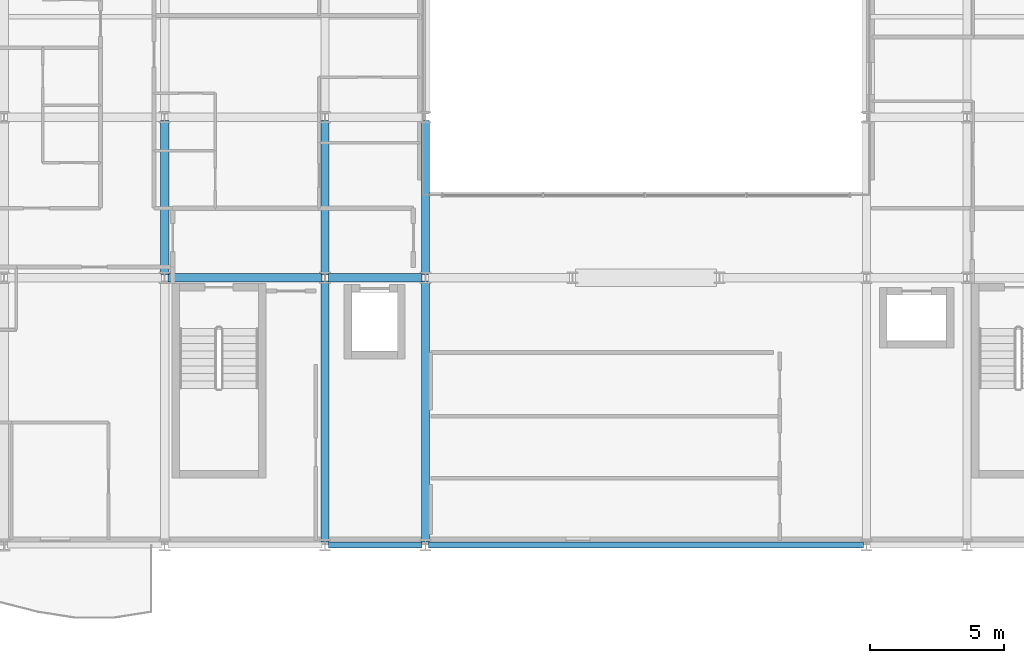
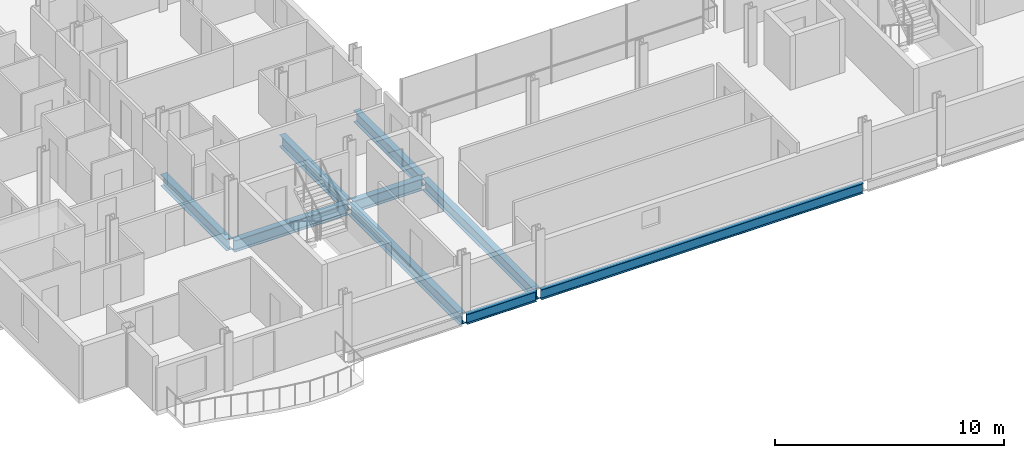
# One storey, part 3 of 41: 9 beams.
"""IFC4 building model written with IfcOpenShell, lengths in metres."""

from ifc_helpers import new_model, si_unit, direction, frame, origin, origin_2d, place, context, subcontext, project, spatial, i_section, extrude, material, material_profile, profile_set, type_object, element, save


model = new_model("IFC4")

# Units and contexts
model_context = context("Model", 3, precision=1e-05, world=origin(), true_north=direction((0.0, 1.0)))
body_context = subcontext(model_context, "Body", "Model", "MODEL_VIEW")
ifc_project = project(units=[si_unit("LENGTHUNIT", "METRE"), si_unit("AREAUNIT", "SQUARE_METRE"), si_unit("VOLUMEUNIT", "CUBIC_METRE"), si_unit("PLANEANGLEUNIT", "RADIAN"), si_unit("MASSUNIT", "GRAM", prefix="KILO")], contexts=[model_context])

# Site, building, storey
site_placement = place(None, origin())
site = spatial("IfcSite", under=ifc_project, at=site_placement, CompositionType="ELEMENT")
building_placement = place(site_placement, origin())
building = spatial("IfcBuilding", under=site, at=building_placement, Name="Brevholm Reach", CompositionType="ELEMENT")
storey_placement = place(building_placement, frame((0.0, 0.0, 86.89990234375)))
storey = spatial("IfcBuildingStorey", under=building, at=storey_placement, Name="L25", CompositionType="ELEMENT", Elevation=86.89990234375)

# Beams
ifc_material_1 = material(Name="Structural Steel S355J2", Category="steel")
ifc_material_profile_1 = material_profile(ifc_material_1, i_section(OverallWidth=0.210693359375, OverallDepth=0.53955078125, WebThickness=0.01171875, FlangeThickness=0.018798828125, FilletRadius=0.0126953125, at=origin_2d()), Name="UKB 533x210x109")
ifc_profile_set_1 = profile_set([ifc_material_profile_1], Name="Structural Steel S355J2")
beam_type_1 = type_object("IfcBeamType", Name="BM-SP539", PredefinedType="SPANDREL", material=ifc_profile_set_1)
beam_1_placement = place(storey_placement, frame((18.1201171875, 0.0, -0.499755859375), z_axis=(1.0, 0.0, 0.0), x_axis=(0.0, 1.0, 0.0)))
element("IfcBeam", 1, at=beam_1_placement, inside=storey, type_object=beam_type_1, Name="L25 SP-01B Framing Beam", PredefinedType="SPANDREL", context=body_context, shape_type="SweptSolid", body=[
    extrude(i_section(OverallWidth=0.210693359375, OverallDepth=0.53955078125, WebThickness=0.01171875, FlangeThickness=0.018798828125, FilletRadius=0.0126953125, at=origin_2d()), origin(), (0.0, 0.0, 1.0), 3.509765625),
])
beam_2_placement = place(storey_placement, frame((21.8701171875, 0.0, -0.499755859375), z_axis=(1.0, 0.0, 0.0), x_axis=(0.0, 1.0, 0.0)))
element("IfcBeam", 2, at=beam_2_placement, inside=storey, type_object=beam_type_1, Name="L25 SP-01B Framing Beam", PredefinedType="SPANDREL", context=body_context, shape_type="SweptSolid", body=[
    extrude(i_section(OverallWidth=0.210693359375, OverallDepth=0.53955078125, WebThickness=0.01171875, FlangeThickness=0.018798828125, FilletRadius=0.0126953125, at=origin_2d()), origin(), (0.0, 0.0, 1.0), 16.259765625),
])
ifc_material_2 = material(Name="Structural Steel S355J2", Category="steel")
ifc_material_profile_2 = material_profile(ifc_material_2, i_section(OverallWidth=0.30712890625, OverallDepth=0.6201171875, WebThickness=0.01416015625, FlangeThickness=0.023681640625, FilletRadius=0.0166015625, at=origin_2d()), Name="UKB 610x305x179")
ifc_profile_set_2 = profile_set([ifc_material_profile_2], Name="Structural Steel S355J2")
beam_type_2 = type_object("IfcBeamType", Name="BM-UKB610H", PredefinedType="USERDEFINED", material=ifc_profile_set_2)
beam_3_placement = place(storey_placement, frame((12.1201171875, 10.0, -0.5400390625), z_axis=(1.0, 0.0, 0.0), x_axis=(0.0, 1.0, 0.0)))
element("IfcBeam", 3, at=beam_3_placement, inside=storey, type_object=beam_type_2, Name="L25 G-06 Framing Beam", ObjectType="GIRDER", PredefinedType="USERDEFINED", context=body_context, shape_type="SweptSolid", body=[
    extrude(i_section(OverallWidth=0.30712890625, OverallDepth=0.6201171875, WebThickness=0.01416015625, FlangeThickness=0.023681640625, FilletRadius=0.0166015625, at=origin_2d()), origin(), (0.0, 0.0, 1.0), 5.759765625),
])
beam_4_placement = place(storey_placement, frame((18.1201171875, 10.0, -0.5400390625), z_axis=(1.0, 0.0, 0.0), x_axis=(0.0, 1.0, 0.0)))
element("IfcBeam", 4, at=beam_4_placement, inside=storey, type_object=beam_type_2, Name="L25 G-06 Framing Beam", ObjectType="GIRDER", PredefinedType="USERDEFINED", context=body_context, shape_type="SweptSolid", body=[
    extrude(i_section(OverallWidth=0.30712890625, OverallDepth=0.6201171875, WebThickness=0.01416015625, FlangeThickness=0.023681640625, FilletRadius=0.0166015625, at=origin_2d()), origin(), (0.0, 0.0, 1.0), 3.509765625),
])
beam_5_placement = place(storey_placement, frame((12.0, 10.1201171875, -0.5400390625), z_axis=(0.0, 1.0, 0.0), x_axis=(-1.0, 0.0, 0.0)))
element("IfcBeam", 5, at=beam_5_placement, inside=storey, type_object=beam_type_2, Name="L25 G-06 Framing Beam", ObjectType="GIRDER", PredefinedType="USERDEFINED", context=body_context, shape_type="SweptSolid", body=[
    extrude(i_section(OverallWidth=0.30712890625, OverallDepth=0.6201171875, WebThickness=0.01416015625, FlangeThickness=0.023681640625, FilletRadius=0.0166015625, at=origin_2d()), origin(), (0.0, 0.0, 1.0), 5.759765625),
])
beam_6_placement = place(storey_placement, frame((18.0, 0.1201171875, -0.5400390625), z_axis=(0.0, 1.0, 0.0), x_axis=(-1.0, 0.0, 0.0)))
element("IfcBeam", 6, at=beam_6_placement, inside=storey, type_object=beam_type_2, Name="L25 G-06 Framing Beam", ObjectType="GIRDER", PredefinedType="USERDEFINED", context=body_context, shape_type="SweptSolid", body=[
    extrude(i_section(OverallWidth=0.30712890625, OverallDepth=0.6201171875, WebThickness=0.01416015625, FlangeThickness=0.023681640625, FilletRadius=0.0166015625, at=origin_2d()), origin(), (0.0, 0.0, 1.0), 9.759765625),
])
beam_7_placement = place(storey_placement, frame((18.0, 10.1201171875, -0.5400390625), z_axis=(0.0, 1.0, 0.0), x_axis=(-1.0, 0.0, 0.0)))
element("IfcBeam", 7, at=beam_7_placement, inside=storey, type_object=beam_type_2, Name="L25 G-06 Framing Beam", ObjectType="GIRDER", PredefinedType="USERDEFINED", context=body_context, shape_type="SweptSolid", body=[
    extrude(i_section(OverallWidth=0.30712890625, OverallDepth=0.6201171875, WebThickness=0.01416015625, FlangeThickness=0.023681640625, FilletRadius=0.0166015625, at=origin_2d()), origin(), (0.0, 0.0, 1.0), 5.759765625),
])
beam_8_placement = place(storey_placement, frame((21.75, 0.1201171875, -0.5400390625), z_axis=(0.0, 1.0, 0.0), x_axis=(-1.0, 0.0, 0.0)))
element("IfcBeam", 8, at=beam_8_placement, inside=storey, type_object=beam_type_2, Name="L25 G-06 Framing Beam", ObjectType="GIRDER", PredefinedType="USERDEFINED", context=body_context, shape_type="SweptSolid", body=[
    extrude(i_section(OverallWidth=0.30712890625, OverallDepth=0.6201171875, WebThickness=0.01416015625, FlangeThickness=0.023681640625, FilletRadius=0.0166015625, at=origin_2d()), origin(), (0.0, 0.0, 1.0), 9.759765625),
])
beam_9_placement = place(storey_placement, frame((21.75, 10.1201171875, -0.5400390625), z_axis=(0.0, 1.0, 0.0), x_axis=(-1.0, 0.0, 0.0)))
element("IfcBeam", 9, at=beam_9_placement, inside=storey, type_object=beam_type_2, Name="L25 G-06 Framing Beam", ObjectType="GIRDER", PredefinedType="USERDEFINED", context=body_context, shape_type="SweptSolid", body=[
    extrude(i_section(OverallWidth=0.30712890625, OverallDepth=0.6201171875, WebThickness=0.01416015625, FlangeThickness=0.023681640625, FilletRadius=0.0166015625, at=origin_2d()), origin(), (0.0, 0.0, 1.0), 5.759765625),
])

save(model, "model.ifc")
